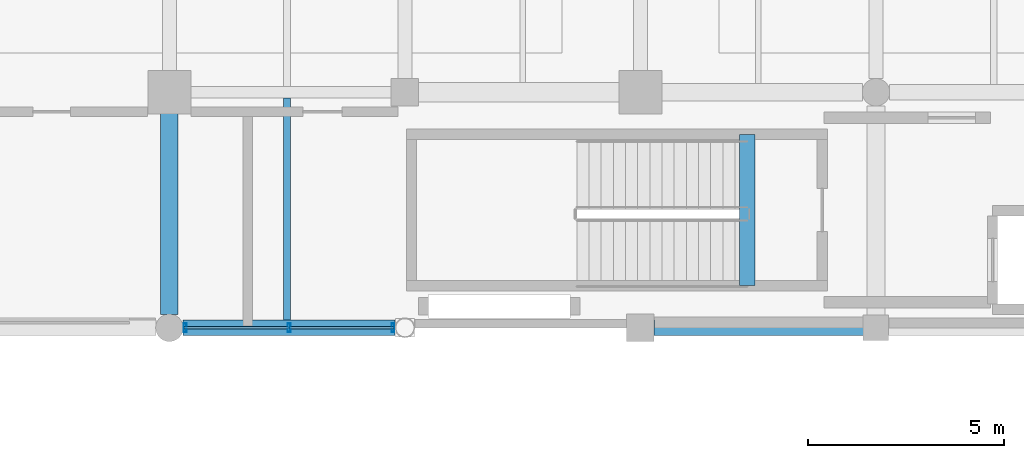
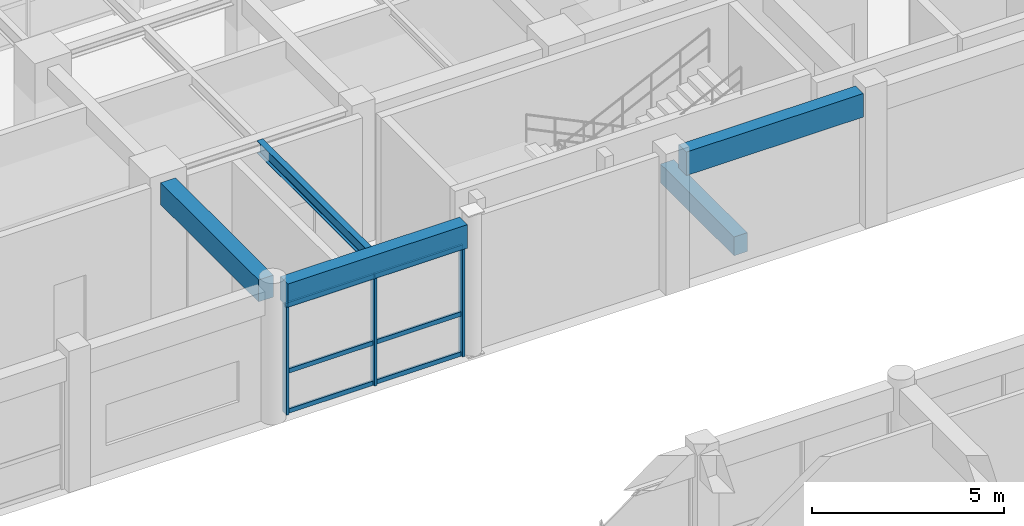
# One storey, part 40 of 116: 9 members, 5 beams, 1 element without a shape of its own.
"""IFC4 building model written with IfcOpenShell, lengths in metres."""

from ifc_helpers import new_model, si_unit, direction, frame, origin, origin_2d, place, context, subcontext, project, spatial, rectangle, hollow_rectangle, i_section, extrude, material, material_profile, profile_set, type_object, element, aggregate, save


model = new_model("IFC4")

# Units and contexts
model_context = context("Model", 3, precision=1e-05, world=origin(), true_north=direction((0.0, 1.0)))
body_context = subcontext(model_context, "Body", "Model", "MODEL_VIEW")
ifc_project = project(units=[si_unit("LENGTHUNIT", "METRE"), si_unit("AREAUNIT", "SQUARE_METRE"), si_unit("VOLUMEUNIT", "CUBIC_METRE"), si_unit("PLANEANGLEUNIT", "RADIAN"), si_unit("MASSUNIT", "GRAM", prefix="KILO"), si_unit("THERMODYNAMICTEMPERATUREUNIT", "KELVIN"), si_unit("POWERUNIT", "WATT")], contexts=[model_context])

# Site, building, storey
site_placement = place(None, origin())
site = spatial("IfcSite", under=ifc_project, at=site_placement, CompositionType="ELEMENT")
building_placement = place(site_placement, origin())
building = spatial("IfcBuilding", under=site, at=building_placement, Name="Phaisarnlok Congress Hotel", CompositionType="ELEMENT")
storey_placement = place(building_placement, frame((0.0, 0.0, 10.5)))
storey = spatial("IfcBuildingStorey", under=building, at=storey_placement, Name="L02", CompositionType="ELEMENT", Elevation=10.5)

# Beams
ifc_material_1 = material(Name="Concrete C40/50", Category="concrete")
ifc_material_profile_1 = material_profile(ifc_material_1, rectangle(XDim=0.39990234375, YDim=0.60009765625, at=origin_2d()), Name="RC 400x600")
ifc_profile_set_1 = profile_set([ifc_material_profile_1], Name="Concrete C40/50")
beam_type_1 = type_object("IfcBeamType", Name="BM-RC-400x600", PredefinedType="BEAM", material=ifc_profile_set_1)
beam_1_placement = place(storey_placement, frame((110.719970703125, 109.080078125, -0.300048828125), z_axis=(0.0, 1.0, 0.0), x_axis=(-1.0, 0.0, 0.0)))
element("IfcBeam", 1, at=beam_1_placement, inside=storey, type_object=beam_type_1, Name="Stair landing header beam B-02 (CORE-4 L02)", PredefinedType="BEAM", context=body_context, shape_type="SweptSolid", body=[
    extrude(rectangle(XDim=0.39990234375, YDim=0.60009765625, at=origin_2d()), origin(), (0.0, 0.0, 1.0), 3.83984375),
])
ifc_material_profile_2 = material_profile(ifc_material_1, rectangle(XDim=0.449951171875, YDim=0.699951171875, at=origin_2d()), Name="RC 450x700")
ifc_profile_set_2 = profile_set([ifc_material_profile_2], Name="Concrete C40/50")
beam_type_2 = type_object("IfcBeamType", Name="BM-RC-450x700", PredefinedType="BEAM", material=ifc_profile_set_2)
beam_2_placement = place(storey_placement, frame((96.0, 108.344970703125, 3.889892578125), z_axis=(0.0, 1.0, 0.0), x_axis=(-1.0, 0.0, 0.0)))
element("IfcBeam", 2, at=beam_2_placement, inside=storey, type_object=beam_type_2, Name="Beam B-03", PredefinedType="BEAM", context=body_context, shape_type="SweptSolid", body=[
    extrude(rectangle(XDim=0.449951171875, YDim=0.699951171875, at=origin_2d()), origin(), (0.0, 0.0, 1.0), 5.110107421875),
])

# Curtain wall, members
ifc_material_2 = material(Name="Thermally Broken Unitised Aluminium & Low-E Glazing", Category="aluminium")
curtain_wall_type = type_object("IfcCurtainWallType", Name="CW-UNIT-17", PredefinedType="NOTDEFINED", material=ifc_material_2)
curtain_wall_placement = place(storey_placement, origin())
curtain_wall = element("IfcCurtainWall", 3, at=curtain_wall_placement, inside=storey, type_object=curtain_wall_type, Name="Unitised curtain wall CW-17 (L02)", PredefinedType="NOTDEFINED")
ifc_material_3 = material(Name="Anodised Aluminium Alloy 6063-T6", Category="aluminium")
ifc_material_profile_3 = material_profile(ifc_material_3, hollow_rectangle(XDim=0.074951171875, YDim=0.219970703125, WallThickness=0.0048828125, at=origin_2d()), Name="ALU-M 75x220x5")
ifc_profile_set_3 = profile_set([ifc_material_profile_3], Name="Anodised Aluminium Alloy 6063-T6")
member_type_1 = type_object("IfcMemberType", Name="CWM-220", PredefinedType="MULLION", material=ifc_profile_set_3)
member_1_placement = place(storey_placement, frame((96.39990234375, 108.0, 0.0), z_axis=(0.0, 0.0, 1.0), x_axis=(1.0, 0.0, 0.0)))
member_1 = element("IfcMember", 4, at=member_1_placement, type_object=member_type_1, Name="Curtain wall mullion CWM-02", PredefinedType="MULLION", context=body_context, shape_type="SweptSolid", body=[
    extrude(hollow_rectangle(XDim=0.074951171875, YDim=0.219970703125, WallThickness=0.0048828125, at=origin_2d()), origin(), (0.0, 0.0, 1.0), 3.489990234375),
])
member_2_placement = place(storey_placement, frame((99.048095703125, 108.0, 0.0), z_axis=(0.0, 0.0, 1.0), x_axis=(1.0, 0.0, 0.0)))
member_2 = element("IfcMember", 5, at=member_2_placement, type_object=member_type_1, Name="Curtain wall mullion CWM-02", PredefinedType="MULLION", context=body_context, shape_type="SweptSolid", body=[
    extrude(hollow_rectangle(XDim=0.074951171875, YDim=0.219970703125, WallThickness=0.0048828125, at=origin_2d()), origin(), (0.0, 0.0, 1.0), 3.489990234375),
])
member_3_placement = place(storey_placement, frame((101.696044921875, 108.0, 0.0), z_axis=(0.0, 0.0, 1.0), x_axis=(1.0, 0.0, 0.0)))
member_3 = element("IfcMember", 6, at=member_3_placement, type_object=member_type_1, Name="Curtain wall mullion CWM-02", PredefinedType="MULLION", context=body_context, shape_type="SweptSolid", body=[
    extrude(hollow_rectangle(XDim=0.074951171875, YDim=0.219970703125, WallThickness=0.0048828125, at=origin_2d()), origin(), (0.0, 0.0, 1.0), 3.489990234375),
])
ifc_material_profile_4 = material_profile(ifc_material_3, hollow_rectangle(XDim=0.06494140625, YDim=0.139892578125, WallThickness=0.00390625, at=origin_2d()), Name="ALU-T 65x140x4")
ifc_profile_set_4 = profile_set([ifc_material_profile_4], Name="Anodised Aluminium Alloy 6063-T6")
member_type_2 = type_object("IfcMemberType", Name="CWT-150", PredefinedType="USERDEFINED", material=ifc_profile_set_4)
member_4_placement = place(storey_placement, frame((96.375, 108.0, 0.050048828125), z_axis=(1.0, 0.0, 0.0), x_axis=(0.0, 1.0, 0.0)))
member_4 = element("IfcMember", 7, at=member_4_placement, type_object=member_type_2, Name="Curtain wall transom CWT-01", ObjectType="TRANSOM", PredefinedType="USERDEFINED", context=body_context, shape_type="SweptSolid", body=[
    extrude(hollow_rectangle(XDim=0.06494140625, YDim=0.139892578125, WallThickness=0.00390625, at=origin_2d()), origin(), (0.0, 0.0, 1.0), 2.657958984375),
])
member_5_placement = place(storey_placement, frame((96.375, 108.0, 1.326171875), z_axis=(1.0, 0.0, 0.0), x_axis=(0.0, 1.0, 0.0)))
member_5 = element("IfcMember", 8, at=member_5_placement, type_object=member_type_2, Name="Curtain wall transom CWT-01", ObjectType="TRANSOM", PredefinedType="USERDEFINED", context=body_context, shape_type="SweptSolid", body=[
    extrude(hollow_rectangle(XDim=0.06494140625, YDim=0.139892578125, WallThickness=0.00390625, at=origin_2d()), origin(), (0.0, 0.0, 1.0), 2.657958984375),
])
member_6_placement = place(storey_placement, frame((96.375, 108.0, 3.43994140625), z_axis=(1.0, 0.0, 0.0), x_axis=(0.0, 1.0, 0.0)))
member_6 = element("IfcMember", 9, at=member_6_placement, type_object=member_type_2, Name="Curtain wall transom CWT-01", ObjectType="TRANSOM", PredefinedType="USERDEFINED", context=body_context, shape_type="SweptSolid", body=[
    extrude(hollow_rectangle(XDim=0.06494140625, YDim=0.139892578125, WallThickness=0.00390625, at=origin_2d()), origin(), (0.0, 0.0, 1.0), 2.657958984375),
])
member_7_placement = place(storey_placement, frame((99.06298828125, 108.0, 0.050048828125), z_axis=(1.0, 0.0, 0.0), x_axis=(0.0, 1.0, 0.0)))
member_7 = element("IfcMember", 10, at=member_7_placement, type_object=member_type_2, Name="Curtain wall transom CWT-01", ObjectType="TRANSOM", PredefinedType="USERDEFINED", context=body_context, shape_type="SweptSolid", body=[
    extrude(hollow_rectangle(XDim=0.06494140625, YDim=0.139892578125, WallThickness=0.00390625, at=origin_2d()), origin(), (0.0, 0.0, 1.0), 2.657958984375),
])
member_8_placement = place(storey_placement, frame((99.06298828125, 108.0, 1.326171875), z_axis=(1.0, 0.0, 0.0), x_axis=(0.0, 1.0, 0.0)))
member_8 = element("IfcMember", 11, at=member_8_placement, type_object=member_type_2, Name="Curtain wall transom CWT-01", ObjectType="TRANSOM", PredefinedType="USERDEFINED", context=body_context, shape_type="SweptSolid", body=[
    extrude(hollow_rectangle(XDim=0.06494140625, YDim=0.139892578125, WallThickness=0.00390625, at=origin_2d()), origin(), (0.0, 0.0, 1.0), 2.657958984375),
])
member_9_placement = place(storey_placement, frame((99.06298828125, 108.0, 3.43994140625), z_axis=(1.0, 0.0, 0.0), x_axis=(0.0, 1.0, 0.0)))
member_9 = element("IfcMember", 12, at=member_9_placement, type_object=member_type_2, Name="Curtain wall transom CWT-01", ObjectType="TRANSOM", PredefinedType="USERDEFINED", context=body_context, shape_type="SweptSolid", body=[
    extrude(hollow_rectangle(XDim=0.06494140625, YDim=0.139892578125, WallThickness=0.00390625, at=origin_2d()), origin(), (0.0, 0.0, 1.0), 2.657958984375),
])
aggregate(curtain_wall, [member_1, member_2, member_3, member_4, member_5, member_6, member_7, member_8, member_9])

# Beams
ifc_material_4 = material(Name="Steel S355", Category="steel")
ifc_material_profile_5 = material_profile(ifc_material_4, i_section(OverallWidth=0.179931640625, OverallDepth=0.39990234375, WebThickness=0.008544921875, FlangeThickness=0.013427734375, FilletRadius=0.02099609375, at=origin_2d()), Name="IPE 400")
ifc_profile_set_5 = profile_set([ifc_material_profile_5], Name="Steel S355")
beam_type_3 = type_object("IfcBeamType", Name="JS-STL-IPE400", PredefinedType="JOIST", material=ifc_profile_set_5)
beam_3_placement = place(storey_placement, frame((99.0, 108.195068359375, 4.0400390625), z_axis=(0.0, 1.0, 0.0), x_axis=(-1.0, 0.0, 0.0)))
element("IfcBeam", 13, at=beam_3_placement, inside=storey, type_object=beam_type_3, Name="Secondary floor joist J-05", PredefinedType="JOIST", context=body_context, shape_type="SweptSolid", body=[
    extrude(i_section(OverallWidth=0.179931640625, OverallDepth=0.39990234375, WebThickness=0.008544921875, FlangeThickness=0.013427734375, FilletRadius=0.02099609375, at=origin_2d()), origin(), (0.0, 0.0, 1.0), 5.659912109375),
])
ifc_material_profile_6 = material_profile(ifc_material_1, rectangle(XDim=0.39990234375, YDim=0.75, at=origin_2d()), Name="RC 400x750")
ifc_profile_set_6 = profile_set([ifc_material_profile_6], Name="Concrete C40/50")
beam_type_4 = type_object("IfcBeamType", Name="SP-RC-400x750", PredefinedType="SPANDREL", material=ifc_profile_set_6)
beam_4_placement = place(storey_placement, frame((96.344970703125, 108.0, 3.864990234375), z_axis=(1.0, 0.0, 0.0), x_axis=(0.0, 1.0, 0.0)))
element("IfcBeam", 14, at=beam_4_placement, inside=storey, type_object=beam_type_4, Name="Beam SP-02", PredefinedType="SPANDREL", context=body_context, shape_type="SweptSolid", body=[
    extrude(rectangle(XDim=0.39990234375, YDim=0.75, at=origin_2d()), origin(), (0.0, 0.0, 1.0), 5.406005859375),
])
beam_5_placement = place(storey_placement, frame((108.344970703125, 108.0, 3.864990234375), z_axis=(1.0, 0.0, 0.0), x_axis=(0.0, 1.0, 0.0)))
element("IfcBeam", 15, at=beam_5_placement, inside=storey, type_object=beam_type_4, Name="Beam SP-02", PredefinedType="SPANDREL", context=body_context, shape_type="SweptSolid", body=[
    extrude(rectangle(XDim=0.39990234375, YDim=0.75, at=origin_2d()), origin(), (0.0, 0.0, 1.0), 5.3349609375),
])

save(model, "model.ifc")
